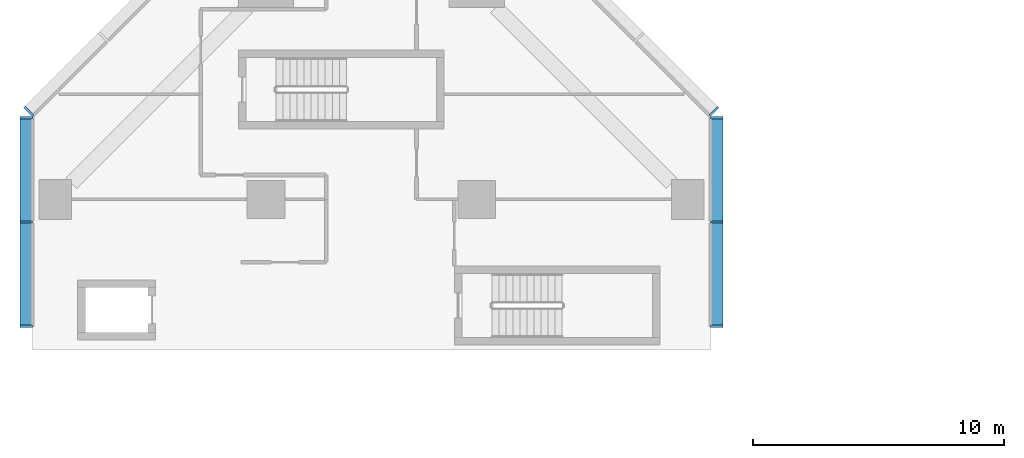
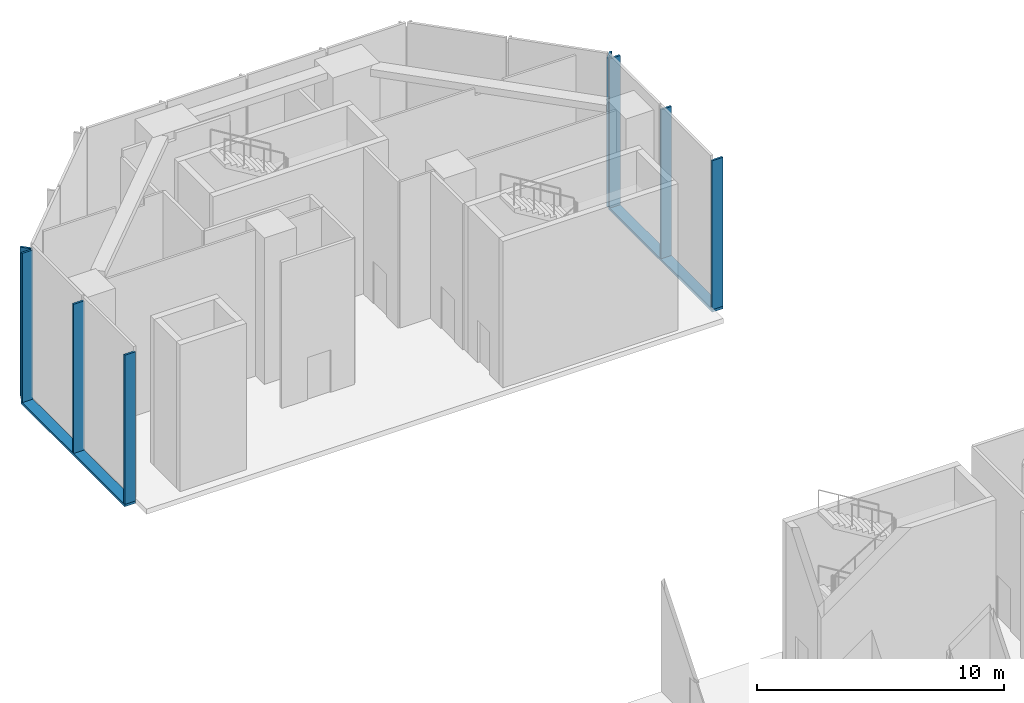
# One storey, part 3 of 16: 10 members, 4 elements without a shape of their own.
"""IFC4 building model written with IfcOpenShell, lengths in metres."""

from ifc_helpers import new_model, si_unit, direction, frame, origin, origin_2d, place, context, subcontext, project, spatial, rectangle, extrude, material, material_profile, profile_set, type_object, element, aggregate, save


model = new_model("IFC4")

# Units and contexts
model_context = context("Model", 3, precision=1e-05, world=origin(), true_north=direction((0.0, 1.0)))
body_context = subcontext(model_context, "Body", "Model", "MODEL_VIEW")
ifc_project = project(units=[si_unit("LENGTHUNIT", "METRE"), si_unit("AREAUNIT", "SQUARE_METRE"), si_unit("VOLUMEUNIT", "CUBIC_METRE"), si_unit("PLANEANGLEUNIT", "RADIAN"), si_unit("MASSUNIT", "GRAM", prefix="KILO")], contexts=[model_context])

# Site, building, storey
site_placement = place(None, origin())
site = spatial("IfcSite", under=ifc_project, at=site_placement, CompositionType="ELEMENT")
building_placement = place(site_placement, origin())
building = spatial("IfcBuilding", under=site, at=building_placement, Name="Brevane Broadcast Tower", CompositionType="ELEMENT")
storey_placement = place(building_placement, frame((0.0, 0.0, 12.5)))
storey = spatial("IfcBuildingStorey", under=building, at=storey_placement, Name="L02", CompositionType="ELEMENT", Elevation=12.5)

# Curtain wall, members
ifc_material = material(Name="Aluminium 6063-T6 bronze anodised", Category="aluminium")
curtain_wall_type = type_object("IfcCurtainWallType", Name="CW-2 curtain wall", PredefinedType="NOTDEFINED", material=ifc_material)
curtain_wall_1_placement = place(storey_placement, origin())
curtain_wall_1 = element("IfcCurtainWall", 1, at=curtain_wall_1_placement, inside=storey, type_object=curtain_wall_type, Name="CW-2 podium base unit L02 north arm east face", PredefinedType="NOTDEFINED")
ifc_material_profile_1 = material_profile(ifc_material, rectangle(XDim=0.5, YDim=0.090087890625, at=origin_2d()), Name="RECT 90x500")
ifc_profile_set_1 = profile_set([ifc_material_profile_1], Name="Aluminium 6063-T6 bronze anodised")
member_type_1 = type_object("IfcMemberType", Name="CW-2 mullion 90x500", PredefinedType="MULLION", material=ifc_profile_set_1)
member_1_placement = place(storey_placement, frame((26.35009765625, 53.7451171875, -0.1298828125), z_axis=(0.0, 0.0, 1.0), x_axis=(-1.0, 0.0, 0.0)))
member_1 = element("IfcMember", 2, at=member_1_placement, type_object=member_type_1, Name="CW-2 mullion", PredefinedType="MULLION", context=body_context, shape_type="SweptSolid", body=[
    extrude(rectangle(XDim=0.5, YDim=0.090087890625, at=origin_2d()), origin(), (0.0, 0.0, 1.0), 7.3798828125),
])
member_2_placement = place(storey_placement, frame((26.35009765625, 57.89990234375, -0.1298828125), z_axis=(0.0, 0.0, 1.0), x_axis=(-1.0, 0.0, 0.0)))
member_2 = element("IfcMember", 3, at=member_2_placement, type_object=member_type_1, Name="CW-2 mullion", PredefinedType="MULLION", context=body_context, shape_type="SweptSolid", body=[
    extrude(rectangle(XDim=0.5, YDim=0.090087890625, at=origin_2d()), origin(), (0.0, 0.0, 1.0), 7.3798828125),
])
member_3_placement = place(storey_placement, frame((26.35009765625, 62.054931640625, -0.1298828125), z_axis=(0.0, 0.0, 1.0), x_axis=(-1.0, 0.0, 0.0)))
member_3 = element("IfcMember", 4, at=member_3_placement, type_object=member_type_1, Name="CW-2 mullion", PredefinedType="MULLION", context=body_context, shape_type="SweptSolid", body=[
    extrude(rectangle(XDim=0.5, YDim=0.090087890625, at=origin_2d()), origin(), (0.0, 0.0, 1.0), 7.3798828125),
])

# Curtain wall, member
curtain_wall_2_placement = place(storey_placement, origin())
curtain_wall_2 = element("IfcCurtainWall", 5, at=curtain_wall_2_placement, inside=storey, type_object=curtain_wall_type, Name="CW-2 podium base unit L02 north arm north-east chamfer", PredefinedType="NOTDEFINED")
member_4_placement = place(storey_placement, frame((26.244873046875, 62.30859375, -0.1298828125), z_axis=(0.0, 0.0, 1.0), x_axis=(-0.707106781187, -0.707106781187, 0.0)))
member_4 = element("IfcMember", 6, at=member_4_placement, type_object=member_type_1, Name="CW-2 mullion", PredefinedType="MULLION", context=body_context, shape_type="SweptSolid", body=[
    extrude(rectangle(XDim=0.5, YDim=0.090087890625, at=origin_2d()), origin(), (0.0, 0.0, 1.0), 7.3798828125),
])
aggregate(curtain_wall_2, [member_4])

curtain_wall_3_placement = place(storey_placement, origin())
curtain_wall_3 = element("IfcCurtainWall", 7, at=curtain_wall_3_placement, inside=storey, type_object=curtain_wall_type, Name="CW-2 podium base unit L02 north-west chamfer", PredefinedType="NOTDEFINED")
member_5_placement = place(storey_placement, frame((-1.044921875, 62.30859375, -0.1298828125), z_axis=(0.0, 0.0, 1.0), x_axis=(0.707106781187, -0.707106781187, 0.0)))
member_5 = element("IfcMember", 8, at=member_5_placement, type_object=member_type_1, Name="CW-2 mullion", PredefinedType="MULLION", context=body_context, shape_type="SweptSolid", body=[
    extrude(rectangle(XDim=0.5, YDim=0.090087890625, at=origin_2d()), origin(), (0.0, 0.0, 1.0), 7.3798828125),
])
aggregate(curtain_wall_3, [member_5])

# Curtain wall, members
curtain_wall_4_placement = place(storey_placement, origin())
curtain_wall_4 = element("IfcCurtainWall", 9, at=curtain_wall_4_placement, inside=storey, type_object=curtain_wall_type, Name="CW-2 podium base unit L02 west face", PredefinedType="NOTDEFINED")
member_6_placement = place(storey_placement, frame((-1.14990234375, 62.054931640625, -0.1298828125), z_axis=(0.0, 0.0, 1.0), x_axis=(1.0, 0.0, 0.0)))
member_6 = element("IfcMember", 10, at=member_6_placement, type_object=member_type_1, Name="CW-2 mullion", PredefinedType="MULLION", context=body_context, shape_type="SweptSolid", body=[
    extrude(rectangle(XDim=0.5, YDim=0.090087890625, at=origin_2d()), origin(), (0.0, 0.0, 1.0), 7.3798828125),
])
member_7_placement = place(storey_placement, frame((-1.14990234375, 57.89990234375, -0.1298828125), z_axis=(0.0, 0.0, 1.0), x_axis=(1.0, 0.0, 0.0)))
member_7 = element("IfcMember", 11, at=member_7_placement, type_object=member_type_1, Name="CW-2 mullion", PredefinedType="MULLION", context=body_context, shape_type="SweptSolid", body=[
    extrude(rectangle(XDim=0.5, YDim=0.090087890625, at=origin_2d()), origin(), (0.0, 0.0, 1.0), 7.3798828125),
])
member_8_placement = place(storey_placement, frame((-1.14990234375, 53.7451171875, -0.1298828125), z_axis=(0.0, 0.0, 1.0), x_axis=(1.0, 0.0, 0.0)))
member_8 = element("IfcMember", 12, at=member_8_placement, type_object=member_type_1, Name="CW-2 mullion", PredefinedType="MULLION", context=body_context, shape_type="SweptSolid", body=[
    extrude(rectangle(XDim=0.5, YDim=0.090087890625, at=origin_2d()), origin(), (0.0, 0.0, 1.0), 7.3798828125),
])

# Member
ifc_material_profile_2 = material_profile(ifc_material, rectangle(XDim=0.5, YDim=0.1201171875, at=origin_2d()), Name="RECT 120x500")
ifc_profile_set_2 = profile_set([ifc_material_profile_2], Name="Aluminium 6063-T6 bronze anodised")
member_type_2 = type_object("IfcMemberType", Name="CW-2 transom 120x500", PredefinedType="USERDEFINED", material=ifc_profile_set_2)
member_9_placement = place(storey_placement, frame((26.35009765625, 53.699951171875, -0.18994140625), z_axis=(0.0, 1.0, 0.0), x_axis=(-1.0, 0.0, 0.0)))
member_9 = element("IfcMember", 13, at=member_9_placement, type_object=member_type_2, Name="CW-2 transom", ObjectType="TRANSOM", PredefinedType="USERDEFINED", context=body_context, shape_type="SweptSolid", body=[
    extrude(rectangle(XDim=0.5, YDim=0.1201171875, at=origin_2d()), origin(), (0.0, 0.0, 1.0), 8.400146484375),
])

aggregate(curtain_wall_1, [member_1, member_2, member_3, member_9])

member_10_placement = place(storey_placement, frame((-1.14990234375, 62.10009765625, -0.18994140625), z_axis=(0.0, -1.0, 0.0), x_axis=(1.0, 0.0, 0.0)))
member_10 = element("IfcMember", 14, at=member_10_placement, type_object=member_type_2, Name="CW-2 transom", ObjectType="TRANSOM", PredefinedType="USERDEFINED", context=body_context, shape_type="SweptSolid", body=[
    extrude(rectangle(XDim=0.5, YDim=0.1201171875, at=origin_2d()), origin(), (0.0, 0.0, 1.0), 8.400146484375),
])

aggregate(curtain_wall_4, [member_6, member_7, member_8, member_10])

save(model, "model.ifc")
